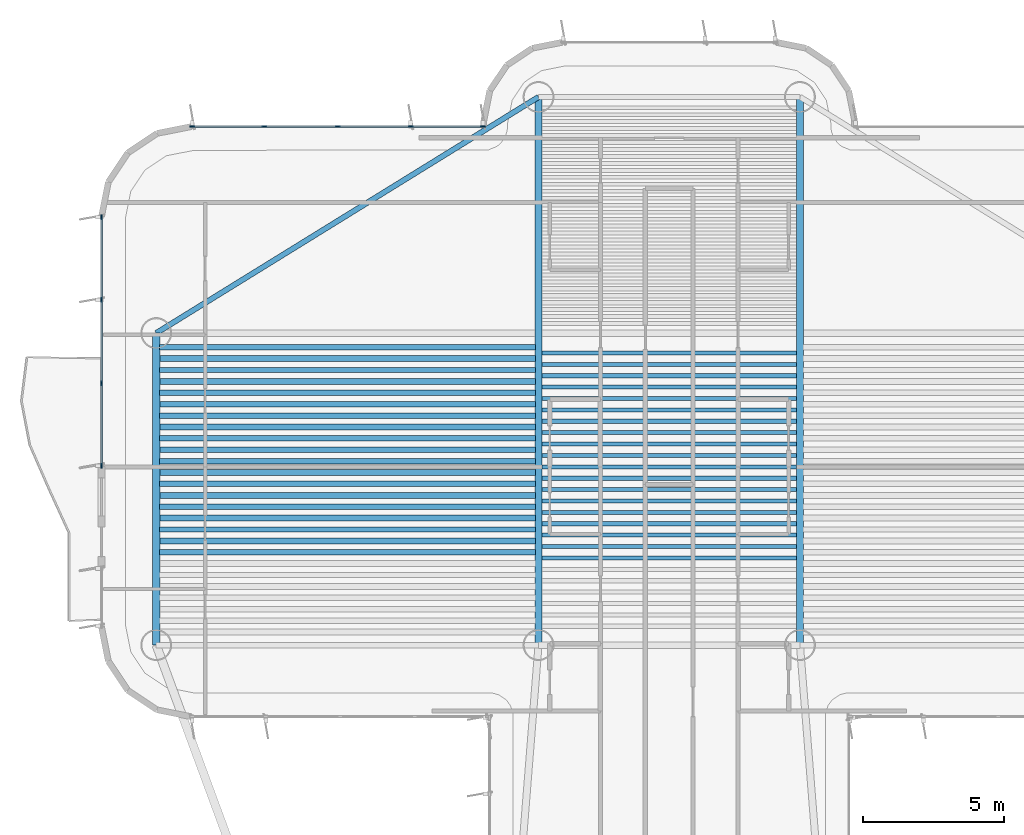
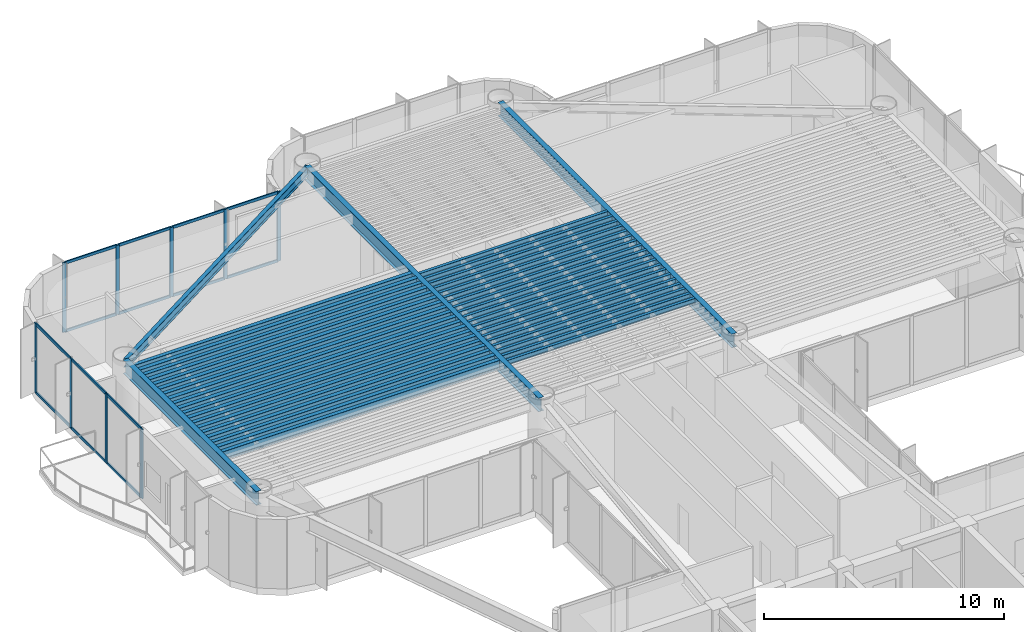
# One storey, part 5 of 15: 42 beams, 23 members, 2 elements without a shape of their own.
"""IFC4 building model written with IfcOpenShell, lengths in metres."""

from ifc_helpers import new_model, si_unit, direction, frame, origin, origin_2d, place, context, subcontext, project, spatial, rectangle, i_section, extrude, source, transform, mapped, material, layer, layer_set, material_profile, profile_set, type_object, element, aggregate, save


model = new_model("IFC4")

# Units and contexts
model_context = context("Model", 3, precision=1e-05, world=origin(), true_north=direction((0.0, 1.0)))
body_context = subcontext(model_context, "Body", "Model", "MODEL_VIEW")
ifc_project = project(units=[si_unit("LENGTHUNIT", "METRE"), si_unit("AREAUNIT", "SQUARE_METRE"), si_unit("VOLUMEUNIT", "CUBIC_METRE"), si_unit("PLANEANGLEUNIT", "RADIAN"), si_unit("MASSUNIT", "GRAM", prefix="KILO")], contexts=[model_context])

# Site, building, storey
site_placement = place(None, origin())
site = spatial("IfcSite", under=ifc_project, at=site_placement, CompositionType="ELEMENT")
building_placement = place(site_placement, origin())
building = spatial("IfcBuilding", under=site, at=building_placement, Name="Brelvock Crest Care Tower", CompositionType="ELEMENT")
storey_placement = place(building_placement, frame((0.0, 0.0, 156.419921875)))
storey = spatial("IfcBuildingStorey", under=building, at=storey_placement, Name="L39", CompositionType="ELEMENT", Elevation=156.419921875)

# Beams
ifc_material_1 = material(Name="Steel Grade 350", Category="steel")
ifc_material_profile_1 = material_profile(ifc_material_1, i_section(OverallWidth=0.14599609375, OverallDepth=0.256103515625, WebThickness=0.00634765625, FlangeThickness=0.010986328125, FilletRadius=0.0087890625, at=origin_2d()), Name="250UB37.3")
ifc_profile_set_1 = profile_set([ifc_material_profile_1], Name="Steel Grade 350")
beam_type_1 = type_object("IfcBeamType", Name="BM-J3", PredefinedType="JOIST", material=ifc_profile_set_1)
shared_shape_1 = source(origin(), body_context, "Body", "SweptSolid", [
    extrude(i_section(OverallWidth=0.14599609375, OverallDepth=0.256103515625, WebThickness=0.00634765625, FlangeThickness=0.010986328125, FilletRadius=0.0087890625, at=origin_2d()), origin(), (0.0, 0.0, 1.0), 9.06982421875),
])
for number, where, z_axis, x_axis, name in (
    (1, (31.465087890625, 38.0498046875, 3.402099609375), (1.0, 0.0, 0.0), (0.0, 1.0, 0.0), "BM-JH-L39-7"),
    (2, (31.465087890625, 38.454833984375, 3.402099609375), (1.0, 0.0, 0.0), (0.0, 1.0, 0.0), "BM-JH-L39-8"),
    (3, (31.465087890625, 38.860107421875, 3.402099609375), (1.0, 0.0, 0.0), (0.0, 1.0, 0.0), "BM-JH-L39-9"),
    (4, (31.465087890625, 39.26513671875, 3.402099609375), (1.0, 0.0, 0.0), (0.0, 1.0, 0.0), "BM-JH-L39-10"),
    (5, (31.465087890625, 39.67041015625, 3.402099609375), (1.0, 0.0, 0.0), (0.0, 1.0, 0.0), "BM-JH-L39-11"),
    (6, (31.465087890625, 40.075439453125, 3.402099609375), (1.0, 0.0, 0.0), (0.0, 1.0, 0.0), "BM-JH-L39-12"),
    (7, (31.465087890625, 40.480712890625, 3.402099609375), (1.0, 0.0, 0.0), (0.0, 1.0, 0.0), "BM-JH-L39-13"),
    (8, (31.465087890625, 40.8857421875, 3.402099609375), (1.0, 0.0, 0.0), (0.0, 1.0, 0.0), "BM-JH-L39-14"),
    (9, (31.465087890625, 41.291015625, 3.402099609375), (1.0, 0.0, 0.0), (0.0, 1.0, 0.0), "BM-JH-L39-15"),
    (10, (31.465087890625, 41.696044921875, 3.402099609375), (1.0, 0.0, 0.0), (0.0, 1.0, 0.0), "BM-JH-L39-16"),
    (11, (31.465087890625, 42.101318359375, 3.402099609375), (1.0, 0.0, 0.0), (0.0, 1.0, 0.0), "BM-JH-L39-17"),
    (12, (31.465087890625, 42.50634765625, 3.402099609375), (1.0, 0.0, 0.0), (0.0, 1.0, 0.0), "BM-JH-L39-18"),
    (13, (31.465087890625, 42.91162109375, 3.402099609375), (1.0, 0.0, 0.0), (0.0, 1.0, 0.0), "BM-JH-L39-19"),
    (14, (31.465087890625, 43.316650390625, 3.402099609375), (1.0, 0.0, 0.0), (0.0, 1.0, 0.0), "BM-JH-L39-20"),
    (15, (31.465087890625, 43.7216796875, 3.402099609375), (1.0, 0.0, 0.0), (0.0, 1.0, 0.0), "BM-JH-L39-21"),
    (16, (31.465087890625, 44.126953125, 3.402099609375), (1.0, 0.0, 0.0), (0.0, 1.0, 0.0), "BM-JH-L39-22"),
    (17, (31.465087890625, 44.531982421875, 3.402099609375), (1.0, 0.0, 0.0), (0.0, 1.0, 0.0), "BM-JH-L39-23"),
    (18, (31.465087890625, 44.937255859375, 3.402099609375), (1.0, 0.0, 0.0), (0.0, 1.0, 0.0), "BM-JH-L39-24"),
    (19, (31.465087890625, 45.34228515625, 3.402099609375), (1.0, 0.0, 0.0), (0.0, 1.0, 0.0), "BM-JH-L39-25"),
):
    element("IfcBeam", number, at=place(storey_placement, frame(where, z_axis=z_axis, x_axis=x_axis)), inside=storey, type_object=beam_type_1, Name=name, PredefinedType="JOIST", context=body_context, shape_type="MappedRepresentation", body=[
        mapped(shared_shape_1, transform((0.0, 0.0, 0.0), x_axis=(1.0, 0.0, 0.0), y_axis=(0.0, 1.0, 0.0), z_axis=(0.0, 0.0, 1.0), scale=1.0)),
    ])
ifc_material_profile_2 = material_profile(ifc_material_1, i_section(OverallWidth=0.208984375, OverallDepth=0.532958984375, WebThickness=0.01025390625, FlangeThickness=0.015625, FilletRadius=0.013916015625, at=origin_2d()), Name="530UB92.4")
ifc_profile_set_2 = profile_set([ifc_material_profile_2], Name="Steel Grade 350")
beam_type_2 = type_object("IfcBeamType", Name="BM-G2", PredefinedType="BEAM", material=ifc_profile_set_2)
shared_shape_2 = source(origin(), body_context, "Body", "SweptSolid", [
    extrude(i_section(OverallWidth=0.208984375, OverallDepth=0.532958984375, WebThickness=0.01025390625, FlangeThickness=0.015625, FilletRadius=0.013916015625, at=origin_2d()), origin(), (0.0, 0.0, 1.0), 13.3701171875),
])
for number, where, z_axis, x_axis, name in (
    (20, (17.864990234375, 38.657470703125, 3.263671875), (1.0, 0.0, 0.0), (0.0, 1.0, 0.0), "BM-JW-L39-9"),
    (21, (17.864990234375, 39.4677734375, 3.263671875), (1.0, 0.0, 0.0), (0.0, 1.0, 0.0), "BM-JW-L39-11"),
    (22, (17.864990234375, 40.278076171875, 3.263671875), (1.0, 0.0, 0.0), (0.0, 1.0, 0.0), "BM-JW-L39-13"),
    (23, (17.864990234375, 41.08837890625, 3.263671875), (1.0, 0.0, 0.0), (0.0, 1.0, 0.0), "BM-JW-L39-15"),
    (24, (17.864990234375, 41.898681640625, 3.263671875), (1.0, 0.0, 0.0), (0.0, 1.0, 0.0), "BM-JW-L39-17"),
    (25, (17.864990234375, 42.708984375, 3.263671875), (1.0, 0.0, 0.0), (0.0, 1.0, 0.0), "BM-JW-L39-19"),
    (26, (17.864990234375, 43.519287109375, 3.263671875), (1.0, 0.0, 0.0), (0.0, 1.0, 0.0), "BM-JW-L39-21"),
    (27, (17.864990234375, 44.32958984375, 3.263671875), (1.0, 0.0, 0.0), (0.0, 1.0, 0.0), "BM-JW-L39-23"),
    (28, (17.864990234375, 45.139892578125, 3.263671875), (1.0, 0.0, 0.0), (0.0, 1.0, 0.0), "BM-JW-L39-25"),
):
    element("IfcBeam", number, at=place(storey_placement, frame(where, z_axis=z_axis, x_axis=x_axis)), inside=storey, type_object=beam_type_2, Name=name, PredefinedType="BEAM", context=body_context, shape_type="MappedRepresentation", body=[
        mapped(shared_shape_2, transform((0.0, 0.0, 0.0), x_axis=(1.0, 0.0, 0.0), y_axis=(0.0, 1.0, 0.0), z_axis=(0.0, 0.0, 1.0), scale=1.0)),
    ])
ifc_material_profile_3 = material_profile(ifc_material_1, i_section(OverallWidth=0.19091796875, OverallDepth=0.4599609375, WebThickness=0.010009765625, FlangeThickness=0.01611328125, FilletRadius=0.011474609375, at=origin_2d()), Name="460UB82.1")
ifc_profile_set_3 = profile_set([ifc_material_profile_3], Name="Steel Grade 350")
beam_type_3 = type_object("IfcBeamType", Name="BM-G3", PredefinedType="BEAM", material=ifc_profile_set_3)
shared_shape_3 = source(origin(), body_context, "Body", "SweptSolid", [
    extrude(i_section(OverallWidth=0.19091796875, OverallDepth=0.4599609375, WebThickness=0.010009765625, FlangeThickness=0.01611328125, FilletRadius=0.011474609375, at=origin_2d()), origin(), (0.0, 0.0, 1.0), 13.3701171875),
])
for number, where, z_axis, x_axis, name in (
    (29, (17.864990234375, 38.252197265625, 3.300048828125), (1.0, 0.0, 0.0), (0.0, 1.0, 0.0), "BM-JW-L39-8"),
    (30, (17.864990234375, 39.0625, 3.300048828125), (1.0, 0.0, 0.0), (0.0, 1.0, 0.0), "BM-JW-L39-10"),
    (31, (17.864990234375, 39.872802734375, 3.300048828125), (1.0, 0.0, 0.0), (0.0, 1.0, 0.0), "BM-JW-L39-12"),
    (32, (17.864990234375, 40.68310546875, 3.300048828125), (1.0, 0.0, 0.0), (0.0, 1.0, 0.0), "BM-JW-L39-14"),
    (33, (17.864990234375, 41.493408203125, 3.300048828125), (1.0, 0.0, 0.0), (0.0, 1.0, 0.0), "BM-JW-L39-16"),
    (34, (17.864990234375, 42.3037109375, 3.300048828125), (1.0, 0.0, 0.0), (0.0, 1.0, 0.0), "BM-JW-L39-18"),
    (35, (17.864990234375, 43.114013671875, 3.300048828125), (1.0, 0.0, 0.0), (0.0, 1.0, 0.0), "BM-JW-L39-20"),
    (36, (17.864990234375, 43.92431640625, 3.300048828125), (1.0, 0.0, 0.0), (0.0, 1.0, 0.0), "BM-JW-L39-22"),
    (37, (17.864990234375, 44.734619140625, 3.300048828125), (1.0, 0.0, 0.0), (0.0, 1.0, 0.0), "BM-JW-L39-24"),
    (38, (17.864990234375, 45.544921875, 3.300048828125), (1.0, 0.0, 0.0), (0.0, 1.0, 0.0), "BM-JW-L39-26"),
):
    element("IfcBeam", number, at=place(storey_placement, frame(where, z_axis=z_axis, x_axis=x_axis)), inside=storey, type_object=beam_type_3, Name=name, PredefinedType="BEAM", context=body_context, shape_type="MappedRepresentation", body=[
        mapped(shared_shape_3, transform((0.0, 0.0, 0.0), x_axis=(1.0, 0.0, 0.0), y_axis=(0.0, 1.0, 0.0), z_axis=(0.0, 0.0, 1.0), scale=1.0)),
    ])
ifc_material_profile_4 = material_profile(ifc_material_1, i_section(OverallWidth=0.25, OverallDepth=0.699951171875, WebThickness=0.011962890625, FlangeThickness=0.02001953125, at=origin_2d()), Name="700WB150")
ifc_profile_set_4 = profile_set([ifc_material_profile_4], Name="Steel Grade 350")
beam_type_4 = type_object("IfcBeamType", Name="BM-G4", PredefinedType="BEAM", material=ifc_profile_set_4)
shared_shape_4 = source(origin(), body_context, "Body", "SweptSolid", [
    extrude(i_section(OverallWidth=0.25, OverallDepth=0.699951171875, WebThickness=0.011962890625, FlangeThickness=0.02001953125, at=origin_2d()), origin(), (0.0, 0.0, 1.0), 11.10009765625),
])
beam_1_placement = place(storey_placement, frame((17.75, 34.949951171875, 3.18017578125), z_axis=(0.0, 1.0, 0.0), x_axis=(-1.0, 0.0, 0.0)))
element("IfcBeam", 39, at=beam_1_placement, inside=storey, type_object=beam_type_4, Name="BM-TWR-L39-01", PredefinedType="BEAM", context=body_context, shape_type="MappedRepresentation", body=[
    mapped(shared_shape_4, transform((0.0, 0.0, 0.0), x_axis=(1.0, 0.0, 0.0), y_axis=(0.0, 1.0, 0.0), z_axis=(0.0, 0.0, 1.0), scale=1.0)),
])
ifc_material_profile_5 = material_profile(ifc_material_1, i_section(OverallWidth=0.19091796875, OverallDepth=0.4599609375, WebThickness=0.010009765625, FlangeThickness=0.01611328125, FilletRadius=0.011474609375, at=origin_2d()), Name="460UB82.1")
ifc_profile_set_5 = profile_set([ifc_material_profile_5], Name="Steel Grade 350")
beam_type_5 = type_object("IfcBeamType", Name="BM-SP2", PredefinedType="SPANDREL", material=ifc_profile_set_5)
shared_shape_5 = source(origin(), body_context, "Body", "SweptSolid", [
    extrude(i_section(OverallWidth=0.19091796875, OverallDepth=0.4599609375, WebThickness=0.010009765625, FlangeThickness=0.01611328125, FilletRadius=0.011474609375, at=origin_2d()), origin(), (0.0, 0.0, 1.0), 15.985107421875),
])
beam_2_placement = place(storey_placement, frame((17.75, 46.050048828125, 3.300048828125), z_axis=(0.850802415717, 0.525485727124, 0.0), x_axis=(-0.525485727124, 0.850802415717, 0.0)))
element("IfcBeam", 40, at=beam_2_placement, inside=storey, type_object=beam_type_5, Name="BM-TWR-L39-06", PredefinedType="SPANDREL", context=body_context, shape_type="MappedRepresentation", body=[
    mapped(shared_shape_5, transform((0.0, 0.0, 0.0), x_axis=(1.0, 0.0, 0.0), y_axis=(0.0, 1.0, 0.0), z_axis=(0.0, 0.0, 1.0), scale=1.0)),
])
shared_shape_6 = source(origin(), body_context, "Body", "SweptSolid", [
    extrude(i_section(OverallWidth=0.25, OverallDepth=0.699951171875, WebThickness=0.011962890625, FlangeThickness=0.02001953125, at=origin_2d()), origin(), (0.0, 0.0, 1.0), 19.5),
])
for number, where, z_axis, x_axis, name in (
    (41, (31.35009765625, 34.949951171875, 3.18017578125), (0.0, 1.0, 0.0), (-1.0, 0.0, 0.0), "BM-TWR-L39-09"),
    (42, (40.64990234375, 34.949951171875, 3.18017578125), (0.0, 1.0, 0.0), (-1.0, 0.0, 0.0), "BM-TWR-L39-10"),
):
    element("IfcBeam", number, at=place(storey_placement, frame(where, z_axis=z_axis, x_axis=x_axis)), inside=storey, type_object=beam_type_4, Name=name, PredefinedType="BEAM", context=body_context, shape_type="MappedRepresentation", body=[
        mapped(shared_shape_6, transform((0.0, 0.0, 0.0), x_axis=(1.0, 0.0, 0.0), y_axis=(0.0, 1.0, 0.0), z_axis=(0.0, 0.0, 1.0), scale=1.0)),
    ])

# Curtain wall, members
ifc_material_2 = material(Name="Dark Glass Double Glazed Low-E", Category="glass")
ifc_layer = layer(ifc_material_2, 0.22509765625, Name="CWS-4")
ifc_layer_set = layer_set([ifc_layer], Name="Dark Glass Double Glazed Low-E")
curtain_wall_type = type_object("IfcCurtainWallType", Name="CWS-4", PredefinedType="NOTDEFINED", material=ifc_layer_set)
curtain_wall_1_placement = place(storey_placement, origin())
curtain_wall_1 = element("IfcCurtainWall", 43, at=curtain_wall_1_placement, inside=storey, type_object=curtain_wall_type, Name="L39 Curtain Wall E17B", PredefinedType="NOTDEFINED")
ifc_material_3 = material(Name="Aluminium 6063-T6", Category="aluminium")
ifc_material_profile_6 = material_profile(ifc_material_3, rectangle(XDim=0.06005859375, YDim=0.179931640625, at=origin_2d()), Name="ALU60x180")
ifc_profile_set_6 = profile_set([ifc_material_profile_6], Name="Aluminium 6063-T6")
member_type_1 = type_object("IfcMemberType", Name="CWM-2", PredefinedType="MULLION", material=ifc_profile_set_6)
shared_shape_7 = source(origin(), body_context, "Body", "SweptSolid", [
    extrude(rectangle(XDim=0.06005859375, YDim=0.179931640625, at=origin_2d()), origin(), (0.0, 0.0, 1.0), 3.530029296875),
])
member_1_placement = place(storey_placement, frame((15.800048828125, 41.330078125, 0.0), z_axis=(0.0, 0.0, 1.0), x_axis=(-1.0, 0.0, 0.0)))
member_1 = element("IfcMember", 44, at=member_1_placement, type_object=member_type_1, Name="CW-4 mullion 1", PredefinedType="MULLION", context=body_context, shape_type="MappedRepresentation", body=[
    mapped(shared_shape_7, transform((0.0, 0.0, 0.0), x_axis=(1.0, 0.0, 0.0), y_axis=(0.0, 1.0, 0.0), z_axis=(0.0, 0.0, 1.0), scale=1.0)),
])
member_2_placement = place(storey_placement, frame((15.800048828125, 44.2666015625, 0.0), z_axis=(0.0, 0.0, 1.0), x_axis=(-1.0, 0.0, 0.0)))
member_2 = element("IfcMember", 45, at=member_2_placement, type_object=member_type_1, Name="CW-4 mullion 2", PredefinedType="MULLION", context=body_context, shape_type="MappedRepresentation", body=[
    mapped(shared_shape_7, transform((0.0, 0.0, 0.0), x_axis=(1.0, 0.0, 0.0), y_axis=(0.0, 1.0, 0.0), z_axis=(0.0, 0.0, 1.0), scale=1.0)),
])
member_3_placement = place(storey_placement, frame((15.800048828125, 47.2333984375, 0.0), z_axis=(0.0, 0.0, 1.0), x_axis=(-1.0, 0.0, 0.0)))
member_3 = element("IfcMember", 46, at=member_3_placement, type_object=member_type_1, Name="CW-4 mullion 3", PredefinedType="MULLION", context=body_context, shape_type="MappedRepresentation", body=[
    mapped(shared_shape_7, transform((0.0, 0.0, 0.0), x_axis=(1.0, 0.0, 0.0), y_axis=(0.0, 1.0, 0.0), z_axis=(0.0, 0.0, 1.0), scale=1.0)),
])
member_4_placement = place(storey_placement, frame((15.800048828125, 50.169921875, 0.0), z_axis=(0.0, 0.0, 1.0), x_axis=(-1.0, 0.0, 0.0)))
member_4 = element("IfcMember", 47, at=member_4_placement, type_object=member_type_1, Name="CW-4 mullion 4", PredefinedType="MULLION", context=body_context, shape_type="MappedRepresentation", body=[
    mapped(shared_shape_7, transform((0.0, 0.0, 0.0), x_axis=(1.0, 0.0, 0.0), y_axis=(0.0, 1.0, 0.0), z_axis=(0.0, 0.0, 1.0), scale=1.0)),
])

curtain_wall_2_placement = place(storey_placement, origin())
curtain_wall_2 = element("IfcCurtainWall", 48, at=curtain_wall_2_placement, inside=storey, type_object=curtain_wall_type, Name="L39 Curtain Wall E22", PredefinedType="NOTDEFINED")
member_5_placement = place(storey_placement, frame((19.030029296875, 53.39990234375, 0.0), z_axis=(0.0, 0.0, 1.0), x_axis=(0.0, 1.0, 0.0)))
member_5 = element("IfcMember", 49, at=member_5_placement, type_object=member_type_1, Name="CW-4 mullion 1", PredefinedType="MULLION", context=body_context, shape_type="MappedRepresentation", body=[
    mapped(shared_shape_7, transform((0.0, 0.0, 0.0), x_axis=(1.0, 0.0, 0.0), y_axis=(0.0, 1.0, 0.0), z_axis=(0.0, 0.0, 1.0), scale=1.0)),
])
member_6_placement = place(storey_placement, frame((21.60009765625, 53.39990234375, 0.0), z_axis=(0.0, 0.0, 1.0), x_axis=(0.0, 1.0, 0.0)))
member_6 = element("IfcMember", 50, at=member_6_placement, type_object=member_type_1, Name="CW-4 mullion 2", PredefinedType="MULLION", context=body_context, shape_type="MappedRepresentation", body=[
    mapped(shared_shape_7, transform((0.0, 0.0, 0.0), x_axis=(1.0, 0.0, 0.0), y_axis=(0.0, 1.0, 0.0), z_axis=(0.0, 0.0, 1.0), scale=1.0)),
])
member_7_placement = place(storey_placement, frame((24.199951171875, 53.39990234375, 0.0), z_axis=(0.0, 0.0, 1.0), x_axis=(0.0, 1.0, 0.0)))
member_7 = element("IfcMember", 51, at=member_7_placement, type_object=member_type_1, Name="CW-4 mullion 3", PredefinedType="MULLION", context=body_context, shape_type="MappedRepresentation", body=[
    mapped(shared_shape_7, transform((0.0, 0.0, 0.0), x_axis=(1.0, 0.0, 0.0), y_axis=(0.0, 1.0, 0.0), z_axis=(0.0, 0.0, 1.0), scale=1.0)),
])
member_8_placement = place(storey_placement, frame((26.800048828125, 53.39990234375, 0.0), z_axis=(0.0, 0.0, 1.0), x_axis=(0.0, 1.0, 0.0)))
member_8 = element("IfcMember", 52, at=member_8_placement, type_object=member_type_1, Name="CW-4 mullion 4", PredefinedType="MULLION", context=body_context, shape_type="MappedRepresentation", body=[
    mapped(shared_shape_7, transform((0.0, 0.0, 0.0), x_axis=(1.0, 0.0, 0.0), y_axis=(0.0, 1.0, 0.0), z_axis=(0.0, 0.0, 1.0), scale=1.0)),
])
member_9_placement = place(storey_placement, frame((29.3701171875, 53.39990234375, 0.0), z_axis=(0.0, 0.0, 1.0), x_axis=(0.0, 1.0, 0.0)))
member_9 = element("IfcMember", 53, at=member_9_placement, type_object=member_type_1, Name="CW-4 mullion 5", PredefinedType="MULLION", context=body_context, shape_type="MappedRepresentation", body=[
    mapped(shared_shape_7, transform((0.0, 0.0, 0.0), x_axis=(1.0, 0.0, 0.0), y_axis=(0.0, 1.0, 0.0), z_axis=(0.0, 0.0, 1.0), scale=1.0)),
])

# Member
ifc_material_profile_7 = material_profile(ifc_material_3, rectangle(XDim=0.06005859375, YDim=0.139892578125, at=origin_2d()), Name="ALU60x140")
ifc_profile_set_7 = profile_set([ifc_material_profile_7], Name="Aluminium 6063-T6")
member_type_2 = type_object("IfcMemberType", Name="CWT-2", PredefinedType="USERDEFINED", material=ifc_profile_set_7)
shared_shape_8 = source(origin(), body_context, "Body", "SweptSolid", [
    extrude(rectangle(XDim=0.06005859375, YDim=0.139892578125, at=origin_2d()), origin(), (0.0, 0.0, 1.0), 2.87646484375),
])
member_10_placement = place(storey_placement, frame((15.800048828125, 41.360107421875, 0.030029296875), z_axis=(0.0, 1.0, 0.0), x_axis=(-1.0, 0.0, 0.0)))
member_10 = element("IfcMember", 54, at=member_10_placement, type_object=member_type_2, Name="CW-4 transom 1.1", ObjectType="TRANSOM", PredefinedType="USERDEFINED", context=body_context, shape_type="MappedRepresentation", body=[
    mapped(shared_shape_8, transform((0.0, 0.0, 0.0), x_axis=(1.0, 0.0, 0.0), y_axis=(0.0, 1.0, 0.0), z_axis=(0.0, 0.0, 1.0), scale=1.0)),
])

member_11_placement = place(storey_placement, frame((15.800048828125, 41.360107421875, 3.5), z_axis=(0.0, 1.0, 0.0), x_axis=(-1.0, 0.0, 0.0)))
member_11 = element("IfcMember", 55, at=member_11_placement, type_object=member_type_2, Name="CW-4 transom 1.2", ObjectType="TRANSOM", PredefinedType="USERDEFINED", context=body_context, shape_type="MappedRepresentation", body=[
    mapped(shared_shape_8, transform((0.0, 0.0, 0.0), x_axis=(1.0, 0.0, 0.0), y_axis=(0.0, 1.0, 0.0), z_axis=(0.0, 0.0, 1.0), scale=1.0)),
])

member_12_placement = place(storey_placement, frame((15.800048828125, 47.263427734375, 0.030029296875), z_axis=(0.0, 1.0, 0.0), x_axis=(-1.0, 0.0, 0.0)))
member_12 = element("IfcMember", 56, at=member_12_placement, type_object=member_type_2, Name="CW-4 transom 3.1", ObjectType="TRANSOM", PredefinedType="USERDEFINED", context=body_context, shape_type="MappedRepresentation", body=[
    mapped(shared_shape_8, transform((0.0, 0.0, 0.0), x_axis=(1.0, 0.0, 0.0), y_axis=(0.0, 1.0, 0.0), z_axis=(0.0, 0.0, 1.0), scale=1.0)),
])

member_13_placement = place(storey_placement, frame((15.800048828125, 47.263427734375, 3.5), z_axis=(0.0, 1.0, 0.0), x_axis=(-1.0, 0.0, 0.0)))
member_13 = element("IfcMember", 57, at=member_13_placement, type_object=member_type_2, Name="CW-4 transom 3.2", ObjectType="TRANSOM", PredefinedType="USERDEFINED", context=body_context, shape_type="MappedRepresentation", body=[
    mapped(shared_shape_8, transform((0.0, 0.0, 0.0), x_axis=(1.0, 0.0, 0.0), y_axis=(0.0, 1.0, 0.0), z_axis=(0.0, 0.0, 1.0), scale=1.0)),
])

shared_shape_9 = source(origin(), body_context, "Body", "SweptSolid", [
    extrude(rectangle(XDim=0.06005859375, YDim=0.139892578125, at=origin_2d()), origin(), (0.0, 0.0, 1.0), 2.90673828125),
])
member_14_placement = place(storey_placement, frame((15.800048828125, 44.296630859375, 0.030029296875), z_axis=(0.0, 1.0, 0.0), x_axis=(-1.0, 0.0, 0.0)))
member_14 = element("IfcMember", 58, at=member_14_placement, type_object=member_type_2, Name="CW-4 transom 2.1", ObjectType="TRANSOM", PredefinedType="USERDEFINED", context=body_context, shape_type="MappedRepresentation", body=[
    mapped(shared_shape_9, transform((0.0, 0.0, 0.0), x_axis=(1.0, 0.0, 0.0), y_axis=(0.0, 1.0, 0.0), z_axis=(0.0, 0.0, 1.0), scale=1.0)),
])

member_15_placement = place(storey_placement, frame((15.800048828125, 44.296630859375, 3.5), z_axis=(0.0, 1.0, 0.0), x_axis=(-1.0, 0.0, 0.0)))
member_15 = element("IfcMember", 59, at=member_15_placement, type_object=member_type_2, Name="CW-4 transom 2.2", ObjectType="TRANSOM", PredefinedType="USERDEFINED", context=body_context, shape_type="MappedRepresentation", body=[
    mapped(shared_shape_9, transform((0.0, 0.0, 0.0), x_axis=(1.0, 0.0, 0.0), y_axis=(0.0, 1.0, 0.0), z_axis=(0.0, 0.0, 1.0), scale=1.0)),
])

aggregate(curtain_wall_1, [member_1, member_2, member_3, member_4, member_10, member_11, member_14, member_15, member_12, member_13])

shared_shape_10 = source(origin(), body_context, "Body", "SweptSolid", [
    extrude(rectangle(XDim=0.06005859375, YDim=0.139892578125, at=origin_2d()), origin(), (0.0, 0.0, 1.0), 2.510009765625),
])
member_16_placement = place(storey_placement, frame((19.06005859375, 53.39990234375, 0.030029296875), z_axis=(1.0, 0.0, 0.0), x_axis=(0.0, 1.0, 0.0)))
member_16 = element("IfcMember", 60, at=member_16_placement, type_object=member_type_2, Name="CW-4 transom 1.1", ObjectType="TRANSOM", PredefinedType="USERDEFINED", context=body_context, shape_type="MappedRepresentation", body=[
    mapped(shared_shape_10, transform((0.0, 0.0, 0.0), x_axis=(1.0, 0.0, 0.0), y_axis=(0.0, 1.0, 0.0), z_axis=(0.0, 0.0, 1.0), scale=1.0)),
])

member_17_placement = place(storey_placement, frame((19.06005859375, 53.39990234375, 3.5), z_axis=(1.0, 0.0, 0.0), x_axis=(0.0, 1.0, 0.0)))
member_17 = element("IfcMember", 61, at=member_17_placement, type_object=member_type_2, Name="CW-4 transom 1.2", ObjectType="TRANSOM", PredefinedType="USERDEFINED", context=body_context, shape_type="MappedRepresentation", body=[
    mapped(shared_shape_10, transform((0.0, 0.0, 0.0), x_axis=(1.0, 0.0, 0.0), y_axis=(0.0, 1.0, 0.0), z_axis=(0.0, 0.0, 1.0), scale=1.0)),
])

member_18_placement = place(storey_placement, frame((26.830078125, 53.39990234375, 0.030029296875), z_axis=(1.0, 0.0, 0.0), x_axis=(0.0, 1.0, 0.0)))
member_18 = element("IfcMember", 62, at=member_18_placement, type_object=member_type_2, Name="CW-4 transom 4.1", ObjectType="TRANSOM", PredefinedType="USERDEFINED", context=body_context, shape_type="MappedRepresentation", body=[
    mapped(shared_shape_10, transform((0.0, 0.0, 0.0), x_axis=(1.0, 0.0, 0.0), y_axis=(0.0, 1.0, 0.0), z_axis=(0.0, 0.0, 1.0), scale=1.0)),
])

member_19_placement = place(storey_placement, frame((26.830078125, 53.39990234375, 3.5), z_axis=(1.0, 0.0, 0.0), x_axis=(0.0, 1.0, 0.0)))
member_19 = element("IfcMember", 63, at=member_19_placement, type_object=member_type_2, Name="CW-4 transom 4.2", ObjectType="TRANSOM", PredefinedType="USERDEFINED", context=body_context, shape_type="MappedRepresentation", body=[
    mapped(shared_shape_10, transform((0.0, 0.0, 0.0), x_axis=(1.0, 0.0, 0.0), y_axis=(0.0, 1.0, 0.0), z_axis=(0.0, 0.0, 1.0), scale=1.0)),
])

shared_shape_11 = source(origin(), body_context, "Body", "SweptSolid", [
    extrude(rectangle(XDim=0.06005859375, YDim=0.139892578125, at=origin_2d()), origin(), (0.0, 0.0, 1.0), 2.5400390625),
])
member_20_placement = place(storey_placement, frame((21.6298828125, 53.39990234375, 0.030029296875), z_axis=(1.0, 0.0, 0.0), x_axis=(0.0, 1.0, 0.0)))
member_20 = element("IfcMember", 64, at=member_20_placement, type_object=member_type_2, Name="CW-4 transom 2.1", ObjectType="TRANSOM", PredefinedType="USERDEFINED", context=body_context, shape_type="MappedRepresentation", body=[
    mapped(shared_shape_11, transform((0.0, 0.0, 0.0), x_axis=(1.0, 0.0, 0.0), y_axis=(0.0, 1.0, 0.0), z_axis=(0.0, 0.0, 1.0), scale=1.0)),
])

member_21_placement = place(storey_placement, frame((21.6298828125, 53.39990234375, 3.5), z_axis=(1.0, 0.0, 0.0), x_axis=(0.0, 1.0, 0.0)))
member_21 = element("IfcMember", 65, at=member_21_placement, type_object=member_type_2, Name="CW-4 transom 2.2", ObjectType="TRANSOM", PredefinedType="USERDEFINED", context=body_context, shape_type="MappedRepresentation", body=[
    mapped(shared_shape_11, transform((0.0, 0.0, 0.0), x_axis=(1.0, 0.0, 0.0), y_axis=(0.0, 1.0, 0.0), z_axis=(0.0, 0.0, 1.0), scale=1.0)),
])

member_22_placement = place(storey_placement, frame((24.22998046875, 53.39990234375, 0.030029296875), z_axis=(1.0, 0.0, 0.0), x_axis=(0.0, 1.0, 0.0)))
member_22 = element("IfcMember", 66, at=member_22_placement, type_object=member_type_2, Name="CW-4 transom 3.1", ObjectType="TRANSOM", PredefinedType="USERDEFINED", context=body_context, shape_type="MappedRepresentation", body=[
    mapped(shared_shape_11, transform((0.0, 0.0, 0.0), x_axis=(1.0, 0.0, 0.0), y_axis=(0.0, 1.0, 0.0), z_axis=(0.0, 0.0, 1.0), scale=1.0)),
])

member_23_placement = place(storey_placement, frame((24.22998046875, 53.39990234375, 3.5), z_axis=(1.0, 0.0, 0.0), x_axis=(0.0, 1.0, 0.0)))
member_23 = element("IfcMember", 67, at=member_23_placement, type_object=member_type_2, Name="CW-4 transom 3.2", ObjectType="TRANSOM", PredefinedType="USERDEFINED", context=body_context, shape_type="MappedRepresentation", body=[
    mapped(shared_shape_11, transform((0.0, 0.0, 0.0), x_axis=(1.0, 0.0, 0.0), y_axis=(0.0, 1.0, 0.0), z_axis=(0.0, 0.0, 1.0), scale=1.0)),
])

aggregate(curtain_wall_2, [member_5, member_6, member_7, member_8, member_9, member_16, member_17, member_20, member_21, member_22, member_23, member_18, member_19])

save(model, "model.ifc")
